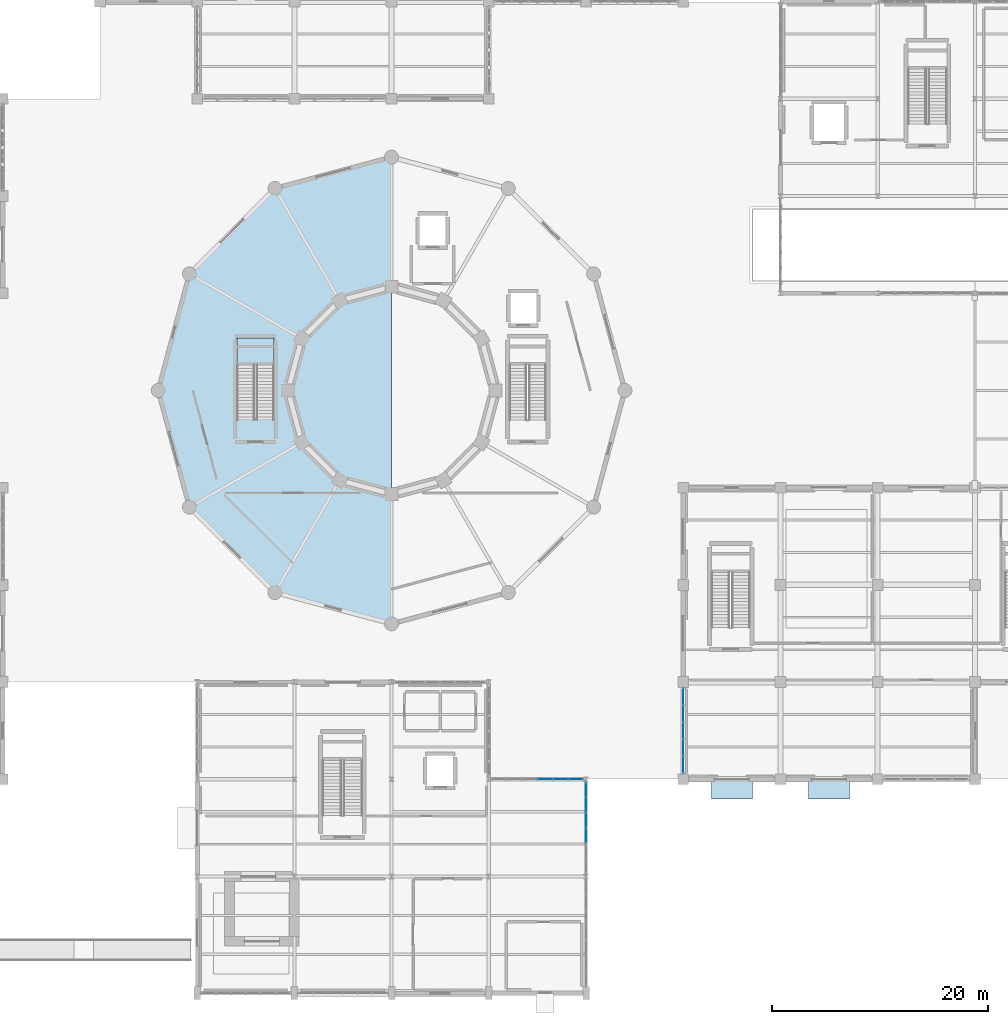
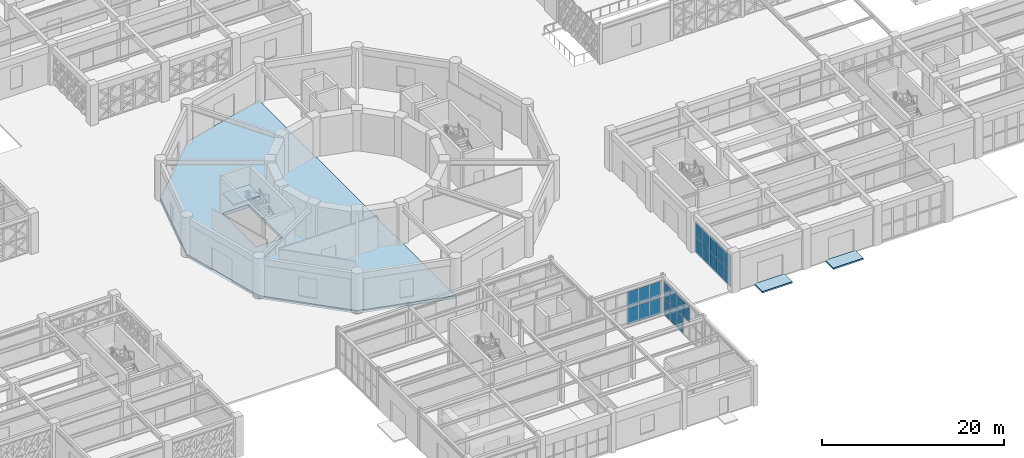
# One storey, part 104 of 140: 23 plates, 4 slabs, 4 elements without a shape of their own.
"""IFC4 building model written with IfcOpenShell, lengths in metres."""

from ifc_helpers import new_model, si_unit, direction, frame, origin, origin_2d, place, context, subcontext, project, spatial, polyline, rectangle, outline, extrude, material, layer, layer_set, type_object, element, aggregate, save


model = new_model("IFC4")

# Units and contexts
model_context = context("Model", 3, precision=1e-05, world=origin(), true_north=direction((0.0, 1.0)))
body_context = subcontext(model_context, "Body", "Model", "MODEL_VIEW")
ifc_project = project(units=[si_unit("LENGTHUNIT", "METRE"), si_unit("AREAUNIT", "SQUARE_METRE"), si_unit("VOLUMEUNIT", "CUBIC_METRE"), si_unit("PLANEANGLEUNIT", "RADIAN"), si_unit("MASSUNIT", "GRAM", prefix="KILO")], contexts=[model_context])

# Site, building, storey
site_placement = place(None, origin())
site = spatial("IfcSite", under=ifc_project, at=site_placement, CompositionType="ELEMENT")
building_placement = place(site_placement, origin())
building = spatial("IfcBuilding", under=site, at=building_placement, Name="Haizhuo Lancet Aquarium", CompositionType="ELEMENT")
storey_placement = place(building_placement, origin())
storey = spatial("IfcBuildingStorey", under=building, at=storey_placement, Name="L00", CompositionType="ELEMENT", Elevation=0.0)

# Curtain wall, plates
ifc_material_1 = material(Name="Aluminium 6063-T6", Category="aluminium")
curtain_wall_type_1 = type_object("IfcCurtainWallType", Name="CWO-7910x4270", PredefinedType="NOTDEFINED", material=ifc_material_1)
curtain_wall_1_placement = place(storey_placement, origin())
curtain_wall_1 = element("IfcCurtainWall", 1, at=curtain_wall_1_placement, inside=storey, type_object=curtain_wall_type_1, Name="L00 curtain wall CW-V3-L00-037", PredefinedType="NOTDEFINED")
ifc_material_2 = material(Name="Laminated Low-E Glass", Category="glass")
ifc_layer_1 = layer(ifc_material_2, 0.028076171875)
ifc_layer_set_1 = layer_set([ifc_layer_1], Name="Laminated Low-E Glass")
plate_type_1 = type_object("IfcPlateType", Name="CW-PNL-1", PredefinedType="CURTAIN_PANEL", material=ifc_layer_set_1)
plate_1_placement = place(storey_placement, frame((27.0, -34.64794921875, 0.0654296875), z_axis=(0.0, 0.0, 1.0), x_axis=(0.0, 1.0, 0.0)))
plate_1 = element("IfcPlate", 2, at=plate_1_placement, type_object=plate_type_1, Name="CWO-79x42 panel 1.1", PredefinedType="CURTAIN_PANEL", context=body_context, shape_type="SweptSolid", body=[
    extrude(rectangle(XDim=1.48388671875, YDim=0.028076171875, at=origin_2d()), origin(), (0.0, 0.0, 1.0), 2.037109375),
])
plate_2_placement = place(storey_placement, frame((27.0, -34.64794921875, 2.1669921875), z_axis=(0.0, 0.0, 1.0), x_axis=(0.0, 1.0, 0.0)))
plate_2 = element("IfcPlate", 3, at=plate_2_placement, type_object=plate_type_1, Name="CWO-79x42 panel 1.2", PredefinedType="CURTAIN_PANEL", context=body_context, shape_type="SweptSolid", body=[
    extrude(rectangle(XDim=1.48388671875, YDim=0.028076171875, at=origin_2d()), origin(), (0.0, 0.0, 1.0), 2.0380859375),
])
plate_3_placement = place(storey_placement, frame((27.0, -33.08203125, 0.0654296875), z_axis=(0.0, 0.0, 1.0), x_axis=(0.0, 1.0, 0.0)))
plate_3 = element("IfcPlate", 4, at=plate_3_placement, type_object=plate_type_1, Name="CWO-79x42 panel 2.1", PredefinedType="CURTAIN_PANEL", context=body_context, shape_type="SweptSolid", body=[
    extrude(rectangle(XDim=1.51708984375, YDim=0.028076171875, at=origin_2d()), origin(), (0.0, 0.0, 1.0), 2.037109375),
])
plate_4_placement = place(storey_placement, frame((27.0, -33.08203125, 2.1669921875), z_axis=(0.0, 0.0, 1.0), x_axis=(0.0, 1.0, 0.0)))
plate_4 = element("IfcPlate", 5, at=plate_4_placement, type_object=plate_type_1, Name="CWO-79x42 panel 2.2", PredefinedType="CURTAIN_PANEL", context=body_context, shape_type="SweptSolid", body=[
    extrude(rectangle(XDim=1.51708984375, YDim=0.028076171875, at=origin_2d()), origin(), (0.0, 0.0, 1.0), 2.0380859375),
])
plate_5_placement = place(storey_placement, frame((27.0, -31.5, 0.0654296875), z_axis=(0.0, 0.0, 1.0), x_axis=(0.0, 1.0, 0.0)))
plate_5 = element("IfcPlate", 6, at=plate_5_placement, type_object=plate_type_1, Name="CWO-79x42 panel 3.1", PredefinedType="CURTAIN_PANEL", context=body_context, shape_type="SweptSolid", body=[
    extrude(rectangle(XDim=1.51708984375, YDim=0.028076171875, at=origin_2d()), origin(), (0.0, 0.0, 1.0), 2.037109375),
])
plate_6_placement = place(storey_placement, frame((27.0, -31.5, 2.1669921875), z_axis=(0.0, 0.0, 1.0), x_axis=(0.0, 1.0, 0.0)))
plate_6 = element("IfcPlate", 7, at=plate_6_placement, type_object=plate_type_1, Name="CWO-79x42 panel 3.2", PredefinedType="CURTAIN_PANEL", context=body_context, shape_type="SweptSolid", body=[
    extrude(rectangle(XDim=1.51708984375, YDim=0.028076171875, at=origin_2d()), origin(), (0.0, 0.0, 1.0), 2.0380859375),
])
plate_7_placement = place(storey_placement, frame((27.0, -29.91796875, 0.0654296875), z_axis=(0.0, 0.0, 1.0), x_axis=(0.0, 1.0, 0.0)))
plate_7 = element("IfcPlate", 8, at=plate_7_placement, type_object=plate_type_1, Name="CWO-79x42 panel 4.1", PredefinedType="CURTAIN_PANEL", context=body_context, shape_type="SweptSolid", body=[
    extrude(rectangle(XDim=1.51708984375, YDim=0.028076171875, at=origin_2d()), origin(), (0.0, 0.0, 1.0), 2.037109375),
])
plate_8_placement = place(storey_placement, frame((27.0, -29.91796875, 2.1669921875), z_axis=(0.0, 0.0, 1.0), x_axis=(0.0, 1.0, 0.0)))
plate_8 = element("IfcPlate", 9, at=plate_8_placement, type_object=plate_type_1, Name="CWO-79x42 panel 4.2", PredefinedType="CURTAIN_PANEL", context=body_context, shape_type="SweptSolid", body=[
    extrude(rectangle(XDim=1.51708984375, YDim=0.028076171875, at=origin_2d()), origin(), (0.0, 0.0, 1.0), 2.0380859375),
])
plate_9_placement = place(storey_placement, frame((27.0, -28.35205078125, 0.0654296875), z_axis=(0.0, 0.0, 1.0), x_axis=(0.0, 1.0, 0.0)))
plate_9 = element("IfcPlate", 10, at=plate_9_placement, type_object=plate_type_1, Name="CWO-79x42 panel 5.1", PredefinedType="CURTAIN_PANEL", context=body_context, shape_type="SweptSolid", body=[
    extrude(rectangle(XDim=1.48388671875, YDim=0.028076171875, at=origin_2d()), origin(), (0.0, 0.0, 1.0), 2.037109375),
])
plate_10_placement = place(storey_placement, frame((27.0, -28.35205078125, 2.1669921875), z_axis=(0.0, 0.0, 1.0), x_axis=(0.0, 1.0, 0.0)))
plate_10 = element("IfcPlate", 11, at=plate_10_placement, type_object=plate_type_1, Name="CWO-79x42 panel 5.2", PredefinedType="CURTAIN_PANEL", context=body_context, shape_type="SweptSolid", body=[
    extrude(rectangle(XDim=1.48388671875, YDim=0.028076171875, at=origin_2d()), origin(), (0.0, 0.0, 1.0), 2.0380859375),
])
aggregate(curtain_wall_1, [plate_1, plate_2, plate_3, plate_4, plate_5, plate_6, plate_7, plate_8, plate_9, plate_10])

curtain_wall_type_2 = type_object("IfcCurtainWallType", Name="CWO-8510x4530", PredefinedType="NOTDEFINED", material=ifc_material_1)
curtain_wall_2_placement = place(storey_placement, origin())
curtain_wall_2 = element("IfcCurtainWall", 12, at=curtain_wall_2_placement, inside=storey, type_object=curtain_wall_type_2, Name="L00 curtain wall CW-V4-L00-085", PredefinedType="NOTDEFINED")
plate_11_placement = place(storey_placement, frame((14.208984375, -36.0, 0.06494140625), z_axis=(0.0, 0.0, 1.0), x_axis=(1.0, 0.0, 0.0)))
plate_11 = element("IfcPlate", 13, at=plate_11_placement, type_object=plate_type_1, Name="CWO-85x45 panel 4.1", PredefinedType="CURTAIN_PANEL", context=body_context, shape_type="SweptSolid", body=[
    extrude(rectangle(XDim=1.35302734375, YDim=0.028076171875, at=origin_2d()), origin(), (0.0, 0.0, 1.0), 2.16796875),
])
plate_12_placement = place(storey_placement, frame((14.208984375, -36.0, 2.298583984375), z_axis=(0.0, 0.0, 1.0), x_axis=(1.0, 0.0, 0.0)))
plate_12 = element("IfcPlate", 14, at=plate_12_placement, type_object=plate_type_1, Name="CWO-85x45 panel 4.2", PredefinedType="CURTAIN_PANEL", context=body_context, shape_type="SweptSolid", body=[
    extrude(rectangle(XDim=1.35302734375, YDim=0.028076171875, at=origin_2d()), origin(), (0.0, 0.0, 1.0), 2.1689453125),
])
plate_13_placement = place(storey_placement, frame((15.626953125, -36.0, 0.06494140625), z_axis=(0.0, 0.0, 1.0), x_axis=(1.0, 0.0, 0.0)))
plate_13 = element("IfcPlate", 15, at=plate_13_placement, type_object=plate_type_1, Name="CWO-85x45 panel 5.1", PredefinedType="CURTAIN_PANEL", context=body_context, shape_type="SweptSolid", body=[
    extrude(rectangle(XDim=1.35302734375, YDim=0.028076171875, at=origin_2d()), origin(), (0.0, 0.0, 1.0), 2.16796875),
])
plate_14_placement = place(storey_placement, frame((15.626953125, -36.0, 2.298583984375), z_axis=(0.0, 0.0, 1.0), x_axis=(1.0, 0.0, 0.0)))
plate_14 = element("IfcPlate", 16, at=plate_14_placement, type_object=plate_type_1, Name="CWO-85x45 panel 5.2", PredefinedType="CURTAIN_PANEL", context=body_context, shape_type="SweptSolid", body=[
    extrude(rectangle(XDim=1.35302734375, YDim=0.028076171875, at=origin_2d()), origin(), (0.0, 0.0, 1.0), 2.1689453125),
])
plate_15_placement = place(storey_placement, frame((17.030029296875, -36.0, 0.06494140625), z_axis=(0.0, 0.0, 1.0), x_axis=(1.0, 0.0, 0.0)))
plate_15 = element("IfcPlate", 17, at=plate_15_placement, type_object=plate_type_1, Name="CWO-85x45 panel 6.1", PredefinedType="CURTAIN_PANEL", context=body_context, shape_type="SweptSolid", body=[
    extrude(rectangle(XDim=1.321044921875, YDim=0.028076171875, at=origin_2d()), origin(), (0.0, 0.0, 1.0), 2.16796875),
])
plate_16_placement = place(storey_placement, frame((17.030029296875, -36.0, 2.298583984375), z_axis=(0.0, 0.0, 1.0), x_axis=(1.0, 0.0, 0.0)))
plate_16 = element("IfcPlate", 18, at=plate_16_placement, type_object=plate_type_1, Name="CWO-85x45 panel 6.2", PredefinedType="CURTAIN_PANEL", context=body_context, shape_type="SweptSolid", body=[
    extrude(rectangle(XDim=1.321044921875, YDim=0.028076171875, at=origin_2d()), origin(), (0.0, 0.0, 1.0), 2.1689453125),
])
aggregate(curtain_wall_2, [plate_11, plate_12, plate_13, plate_14, plate_15, plate_16])

curtain_wall_type_3 = type_object("IfcCurtainWallType", Name="CWO-8510x4630", PredefinedType="NOTDEFINED", material=ifc_material_1)
curtain_wall_3_placement = place(storey_placement, origin())
curtain_wall_3 = element("IfcCurtainWall", 19, at=curtain_wall_3_placement, inside=storey, type_object=curtain_wall_type_3, Name="L00 curtain wall CW-V4-L00-086", PredefinedType="NOTDEFINED")
ifc_layer_2 = layer(ifc_material_2, 0.033935546875)
ifc_layer_set_2 = layer_set([ifc_layer_2], Name="Laminated Low-E Glass")
plate_type_2 = type_object("IfcPlateType", Name="CW-PNL-2", PredefinedType="CURTAIN_PANEL", material=ifc_layer_set_2)
plate_17_placement = place(storey_placement, frame((18.0, -36.972900390625, 0.07568359375), z_axis=(0.0, 0.0, 1.0), x_axis=(0.0, -1.0, 0.0)))
plate_17 = element("IfcPlate", 20, at=plate_17_placement, type_object=plate_type_2, Name="CWO-85x46 panel 1.1", PredefinedType="CURTAIN_PANEL", context=body_context, shape_type="SweptSolid", body=[
    extrude(rectangle(XDim=1.305908203125, YDim=0.033935546875, at=origin_2d()), origin(), (0.0, 0.0, 1.0), 2.202880859375),
])
plate_18_placement = place(storey_placement, frame((18.0, -36.972900390625, 2.35302734375), z_axis=(0.0, 0.0, 1.0), x_axis=(0.0, -1.0, 0.0)))
plate_18 = element("IfcPlate", 21, at=plate_18_placement, type_object=plate_type_2, Name="CWO-85x46 panel 1.2", PredefinedType="CURTAIN_PANEL", context=body_context, shape_type="SweptSolid", body=[
    extrude(rectangle(XDim=1.305908203125, YDim=0.033935546875, at=origin_2d()), origin(), (0.0, 0.0, 1.0), 2.2041015625),
])
plate_19_placement = place(storey_placement, frame((18.0, -38.373046875, 0.07568359375), z_axis=(0.0, 0.0, 1.0), x_axis=(0.0, -1.0, 0.0)))
plate_19 = element("IfcPlate", 22, at=plate_19_placement, type_object=plate_type_2, Name="CWO-85x46 panel 2.1", PredefinedType="CURTAIN_PANEL", context=body_context, shape_type="SweptSolid", body=[
    extrude(rectangle(XDim=1.343017578125, YDim=0.033935546875, at=origin_2d()), origin(), (0.0, 0.0, 1.0), 2.202880859375),
])
plate_20_placement = place(storey_placement, frame((18.0, -38.373046875, 2.35302734375), z_axis=(0.0, 0.0, 1.0), x_axis=(0.0, -1.0, 0.0)))
plate_20 = element("IfcPlate", 23, at=plate_20_placement, type_object=plate_type_2, Name="CWO-85x46 panel 2.2", PredefinedType="CURTAIN_PANEL", context=body_context, shape_type="SweptSolid", body=[
    extrude(rectangle(XDim=1.343017578125, YDim=0.033935546875, at=origin_2d()), origin(), (0.0, 0.0, 1.0), 2.2041015625),
])
plate_21_placement = place(storey_placement, frame((18.0, -39.791015625, 0.07568359375), z_axis=(0.0, 0.0, 1.0), x_axis=(0.0, -1.0, 0.0)))
plate_21 = element("IfcPlate", 24, at=plate_21_placement, type_object=plate_type_2, Name="CWO-85x46 panel 3.1", PredefinedType="CURTAIN_PANEL", context=body_context, shape_type="SweptSolid", body=[
    extrude(rectangle(XDim=1.343017578125, YDim=0.033935546875, at=origin_2d()), origin(), (0.0, 0.0, 1.0), 2.202880859375),
])
plate_22_placement = place(storey_placement, frame((18.0, -39.791015625, 2.35302734375), z_axis=(0.0, 0.0, 1.0), x_axis=(0.0, -1.0, 0.0)))
plate_22 = element("IfcPlate", 25, at=plate_22_placement, type_object=plate_type_2, Name="CWO-85x46 panel 3.2", PredefinedType="CURTAIN_PANEL", context=body_context, shape_type="SweptSolid", body=[
    extrude(rectangle(XDim=1.343017578125, YDim=0.033935546875, at=origin_2d()), origin(), (0.0, 0.0, 1.0), 2.2041015625),
])
plate_23_placement = place(storey_placement, frame((18.0, -41.208984375, 2.35302734375), z_axis=(0.0, 0.0, 1.0), x_axis=(0.0, -1.0, 0.0)))
plate_23 = element("IfcPlate", 26, at=plate_23_placement, type_object=plate_type_2, Name="CWO-85x46 panel 4.2", PredefinedType="CURTAIN_PANEL", context=body_context, shape_type="SweptSolid", body=[
    extrude(rectangle(XDim=1.343017578125, YDim=0.033935546875, at=origin_2d()), origin(), (0.0, 0.0, 1.0), 2.2041015625),
])
aggregate(curtain_wall_3, [plate_17, plate_18, plate_19, plate_20, plate_21, plate_22, plate_23])

# Stair, slab
ifc_material_3 = material(Name="Concrete C40/50", Category="concrete")
stair_type = type_object("IfcStairType", Name="STR-HT-1600-54", PredefinedType="HALF_TURN_STAIR", material=ifc_material_3)
stair_placement = place(storey_placement, origin())
stair = element("IfcStair", 27, at=stair_placement, inside=storey, type_object=stair_type, Name="L00 enclosed exit stair ST-01", PredefinedType="HALF_TURN_STAIR")
ifc_layer_3 = layer(ifc_material_3, 0.199951171875)
ifc_layer_set_3 = layer_set([ifc_layer_3], Name="Concrete C40/50")
slab_type_1 = type_object("IfcSlabType", Name="SLB-LND-1600", PredefinedType="LANDING", material=ifc_layer_set_3)
slab_1_placement = place(storey_placement, frame((0.0, 0.0, 2.5)))
slab_1 = element("IfcSlab", 28, at=slab_1_placement, type_object=slab_type_1, Name="ST-15 landing 1", PredefinedType="LANDING", context=body_context, shape_type="SweptSolid", body=[
    extrude(outline(polyline([(-10.89990234375, 2.35009765625), (-10.89990234375, 4.85009765625), (-14.300048828125, 4.85009765625), (-14.300048828125, 2.35009765625), (-10.89990234375, 2.35009765625)])), origin(), (0.0, 0.0, 1.0), 0.199951171875),
])
aggregate(stair, [slab_1])

# Slabs
ifc_material_4 = material(Name="Concrete C45/55", Category="concrete")
ifc_layer_4 = layer(ifc_material_4, 0.39990234375)
ifc_layer_set_4 = layer_set([ifc_layer_4], Name="Concrete C45/55")
slab_type_2 = type_object("IfcSlabType", Name="SLB-LSS-400", PredefinedType="FLOOR", material=ifc_layer_set_4)
slab_2_placement = place(storey_placement, frame((0.0, 0.0, -0.39990234375)))
element("IfcSlab", 29, at=slab_2_placement, inside=storey, type_object=slab_type_2, Name="L00 structural slab SL-L00-V1-01", PredefinedType="FLOOR", context=body_context, shape_type="SweptSolid", body=[
    extrude(outline(polyline([(-10.800048828125, -18.7060546875), (0.0, -21.60009765625), (0.0, 21.60009765625), (-10.800048828125, 18.7060546875), (-18.7060546875, 10.800048828125), (-21.60009765625, 0.0), (-18.7060546875, -10.800048828125), (-10.800048828125, -18.7060546875)]), holes=[polyline([(-10.89990234375, -2.570068359375), (-10.89990234375, 4.85009765625), (-14.300048828125, 4.85009765625), (-14.300048828125, -2.570068359375), (-10.89990234375, -2.570068359375)])]), origin(), (0.0, 0.0, 1.0), 0.39990234375),
])
ifc_material_5 = material(Name="Shandong Grey Limestone Ashlar", Category="masonry")
slab_type_3 = type_object("IfcSlabType", Name="SLB-PV-200", PredefinedType="BASESLAB", material=ifc_material_5)
slab_3_placement = place(storey_placement, frame((0.0, 0.0, -0.199951171875)))
element("IfcSlab", 30, at=slab_3_placement, inside=storey, type_object=slab_type_3, material=ifc_material_5, Name="At-grade accessible entrance forecourt paving 6", PredefinedType="BASESLAB", context=body_context, shape_type="SweptSolid", body=[
    extrude(outline(polyline([(33.39990234375, -37.800048828125), (33.39990234375, -36.050048828125), (29.60009765625, -36.050048828125), (29.60009765625, -37.800048828125), (33.39990234375, -37.800048828125)])), origin(), (0.0, 0.0, 1.0), 0.199951171875),
])
slab_4_placement = place(storey_placement, frame((0.0, 0.0, -0.199951171875)))
element("IfcSlab", 31, at=slab_4_placement, inside=storey, type_object=slab_type_3, material=ifc_material_5, Name="At-grade accessible entrance forecourt paving 7", PredefinedType="BASESLAB", context=body_context, shape_type="SweptSolid", body=[
    extrude(outline(polyline([(42.39990234375, -37.800048828125), (42.39990234375, -36.050048828125), (38.60009765625, -36.050048828125), (38.60009765625, -37.800048828125), (42.39990234375, -37.800048828125)])), origin(), (0.0, 0.0, 1.0), 0.199951171875),
])

save(model, "model.ifc")
